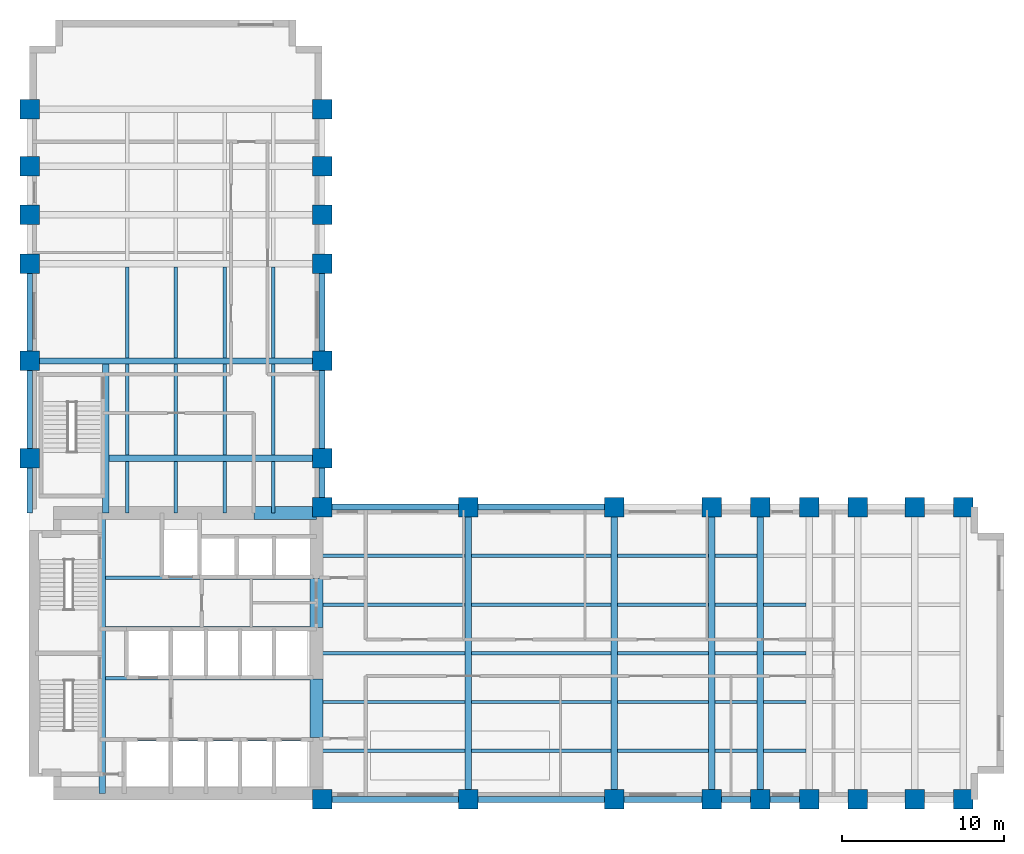
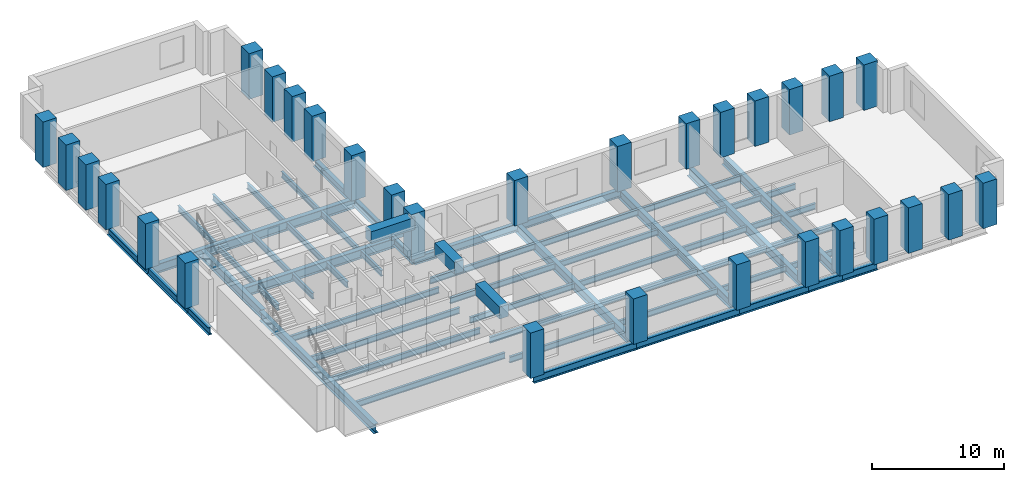
# One storey, part 1 of 7: 64 beams, 30 columns.
"""IFC4 building model written with IfcOpenShell, lengths in metres."""

from ifc_helpers import new_model, si_unit, direction, frame, origin, origin_2d, place, context, subcontext, project, spatial, rectangle, i_section, extrude, material, material_profile, profile_set, type_object, element, save


model = new_model("IFC4")

# Units and contexts
model_context = context("Model", 3, precision=1e-05, world=origin(), true_north=direction((0.0, 1.0)))
body_context = subcontext(model_context, "Body", "Model", "MODEL_VIEW")
ifc_project = project(units=[si_unit("LENGTHUNIT", "METRE"), si_unit("AREAUNIT", "SQUARE_METRE"), si_unit("VOLUMEUNIT", "CUBIC_METRE"), si_unit("PLANEANGLEUNIT", "RADIAN"), si_unit("MASSUNIT", "GRAM", prefix="KILO")], contexts=[model_context])

# Site, building, storey
site_placement = place(None, origin())
site = spatial("IfcSite", under=ifc_project, at=site_placement, CompositionType="ELEMENT")
building_placement = place(site_placement, origin())
building = spatial("IfcBuilding", under=site, at=building_placement, Name="Mawjdan Bourse Tower", CompositionType="ELEMENT")
storey_placement = place(building_placement, frame((0.0, 0.0, 55.199951171875)))
storey = spatial("IfcBuildingStorey", under=building, at=storey_placement, Name="L12", CompositionType="ELEMENT", Elevation=55.199951171875)

# Columns
ifc_material_1 = material(Name="Concrete C80/95", Category="concrete")
ifc_material_profile_1 = material_profile(ifc_material_1, rectangle(XDim=1.199951171875, YDim=1.199951171875, at=origin_2d()), Name="RC1200X1200")
ifc_profile_set_1 = profile_set([ifc_material_profile_1], Name="Concrete C80/95")
column_type = type_object("IfcColumnType", Name="COL-RC1200X1200", PredefinedType="COLUMN", material=ifc_profile_set_1)
for number, where, z_axis, x_axis, name in (
    (1, (24.0, 3.0, 0.0), (0.0, 0.0, 1.0), (1.0, 0.0, 0.0), "L12 Structural Column C-X240-Y30"),
    (2, (24.0, 21.0, 0.0), (0.0, 0.0, 1.0), (1.0, 0.0, 0.0), "L12 Structural Column C-X240-Y210"),
    (3, (33.0, 3.0, 0.0), (0.0, 0.0, 1.0), (1.0, 0.0, 0.0), "L12 Structural Column C-X330-Y30"),
    (4, (33.0, 21.0, 0.0), (0.0, 0.0, 1.0), (1.0, 0.0, 0.0), "L12 Structural Column C-X330-Y210"),
    (5, (42.0, 3.0, 0.0), (0.0, 0.0, 1.0), (1.0, 0.0, 0.0), "L12 Structural Column C-X420-Y30"),
    (6, (42.0, 21.0, 0.0), (0.0, 0.0, 1.0), (1.0, 0.0, 0.0), "L12 Structural Column C-X420-Y210"),
    (7, (48.0, 3.0, 0.0), (0.0, 0.0, 1.0), (1.0, 0.0, 0.0), "L12 Structural Column C-X480-Y30"),
    (8, (48.0, 21.0, 0.0), (0.0, 0.0, 1.0), (1.0, 0.0, 0.0), "L12 Structural Column C-X480-Y210"),
    (9, (51.0, 3.0, 0.0), (0.0, 0.0, 1.0), (1.0, 0.0, 0.0), "L12 Structural Column C-X510-Y30"),
    (10, (51.0, 21.0, 0.0), (0.0, 0.0, 1.0), (1.0, 0.0, 0.0), "L12 Structural Column C-X510-Y210"),
    (11, (54.0, 3.0, 0.0), (0.0, 0.0, 1.0), (1.0, 0.0, 0.0), "L12 Structural Column C-X540-Y30"),
    (12, (54.0, 21.0, 0.0), (0.0, 0.0, 1.0), (1.0, 0.0, 0.0), "L12 Structural Column C-X540-Y210"),
    (13, (57.0, 3.0, 0.0), (0.0, 0.0, 1.0), (1.0, 0.0, 0.0), "L12 Structural Column C-X570-Y30"),
    (14, (57.0, 21.0, 0.0), (0.0, 0.0, 1.0), (1.0, 0.0, 0.0), "L12 Structural Column C-X570-Y210"),
    (15, (60.5, 3.0, 0.0), (0.0, 0.0, 1.0), (1.0, 0.0, 0.0), "L12 Structural Column C-X605-Y30"),
    (16, (60.5, 21.0, 0.0), (0.0, 0.0, 1.0), (1.0, 0.0, 0.0), "L12 Structural Column C-X605-Y210"),
    (17, (63.5, 3.0, 0.0), (0.0, 0.0, 1.0), (1.0, 0.0, 0.0), "L12 Structural Column C-X635-Y30"),
    (18, (63.5, 21.0, 0.0), (0.0, 0.0, 1.0), (1.0, 0.0, 0.0), "L12 Structural Column C-X635-Y210"),
    (19, (6.0, 24.0, 0.0), (0.0, 0.0, 1.0), (1.0, 0.0, 0.0), "L12 Structural Column C-X60-Y240"),
    (20, (24.0, 24.0, 0.0), (0.0, 0.0, 1.0), (1.0, 0.0, 0.0), "L12 Structural Column C-X240-Y240"),
    (21, (6.0, 30.0, 0.0), (0.0, 0.0, 1.0), (1.0, 0.0, 0.0), "L12 Structural Column C-X60-Y300"),
    (22, (24.0, 30.0, 0.0), (0.0, 0.0, 1.0), (1.0, 0.0, 0.0), "L12 Structural Column C-X240-Y300"),
    (23, (6.0, 36.0, 0.0), (0.0, 0.0, 1.0), (1.0, 0.0, 0.0), "L12 Structural Column C-X60-Y360"),
    (24, (24.0, 36.0, 0.0), (0.0, 0.0, 1.0), (1.0, 0.0, 0.0), "L12 Structural Column C-X240-Y360"),
    (25, (6.0, 39.0, 0.0), (0.0, 0.0, 1.0), (1.0, 0.0, 0.0), "L12 Structural Column C-X60-Y390"),
    (26, (24.0, 39.0, 0.0), (0.0, 0.0, 1.0), (1.0, 0.0, 0.0), "L12 Structural Column C-X240-Y390"),
    (27, (6.0, 42.0, 0.0), (0.0, 0.0, 1.0), (1.0, 0.0, 0.0), "L12 Structural Column C-X60-Y420"),
    (28, (24.0, 42.0, 0.0), (0.0, 0.0, 1.0), (1.0, 0.0, 0.0), "L12 Structural Column C-X240-Y420"),
    (29, (6.0, 45.5, 0.0), (0.0, 0.0, 1.0), (1.0, 0.0, 0.0), "L12 Structural Column C-X60-Y455"),
    (30, (24.0, 45.5, 0.0), (0.0, 0.0, 1.0), (1.0, 0.0, 0.0), "L12 Structural Column C-X240-Y455"),
):
    element("IfcColumn", number, at=place(storey_placement, frame(where, z_axis=z_axis, x_axis=x_axis)), inside=storey, type_object=column_type, Name=name, PredefinedType="COLUMN", context=body_context, shape_type="SweptSolid", body=[
        extrude(rectangle(XDim=1.199951171875, YDim=1.199951171875, at=origin_2d()), origin(), (0.0, 0.0, 1.0), 4.199951171875),
    ])

# Beams
ifc_material_2 = material(Name="Structural Steel S355", Category="steel")
ifc_material_profile_2 = material_profile(ifc_material_2, i_section(OverallWidth=0.39892578125, OverallDepth=0.85595703125, WebThickness=0.018310546875, FlangeThickness=0.029296875, FilletRadius=0.0234375, at=origin_2d()), Name="W33X201")
ifc_profile_set_2 = profile_set([ifc_material_profile_2], Name="Structural Steel S355")
beam_type_1 = type_object("IfcBeamType", Name="GRD-W33X201", PredefinedType="BEAM", material=ifc_profile_set_2)
beam_1_placement = place(storey_placement, frame((10.47998046875, 3.35009765625, -0.64794921875), z_axis=(0.0, 1.0, 0.0), x_axis=(-1.0, 0.0, 0.0)))
element("IfcBeam", 31, at=beam_1_placement, inside=storey, type_object=beam_type_1, Name="L12 Core Stair Trimmer Girder 001", PredefinedType="BEAM", context=body_context, shape_type="SweptSolid", body=[
    extrude(i_section(OverallWidth=0.39892578125, OverallDepth=0.85595703125, WebThickness=0.018310546875, FlangeThickness=0.029296875, FilletRadius=0.0234375, at=origin_2d()), origin(), (0.0, 0.0, 1.0), 17.2998046875),
])
for number, where, z_axis, x_axis, name in (
    (32, (33.0, 3.0, -0.64794921875), (0.0, 1.0, 0.0), (-1.0, 0.0, 0.0), "L12 East Wing Clear-Span Girder 002"),
    (33, (42.0, 3.0, -0.64794921875), (0.0, 1.0, 0.0), (-1.0, 0.0, 0.0), "L12 East Wing Clear-Span Girder 003"),
    (34, (48.0, 3.0, -0.64794921875), (0.0, 1.0, 0.0), (-1.0, 0.0, 0.0), "L12 East Wing Clear-Span Girder 004"),
    (35, (51.0, 3.0, -0.64794921875), (0.0, 1.0, 0.0), (-1.0, 0.0, 0.0), "L12 East Wing Clear-Span Girder 005"),
):
    element("IfcBeam", number, at=place(storey_placement, frame(where, z_axis=z_axis, x_axis=x_axis)), inside=storey, type_object=beam_type_1, Name=name, PredefinedType="BEAM", context=body_context, shape_type="SweptSolid", body=[
        extrude(i_section(OverallWidth=0.39892578125, OverallDepth=0.85595703125, WebThickness=0.018310546875, FlangeThickness=0.029296875, FilletRadius=0.0234375, at=origin_2d()), origin(), (0.0, 0.0, 1.0), 18.0),
    ])
beam_2_placement = place(storey_placement, frame((10.679931640625, 20.64990234375, -0.64794921875), z_axis=(0.0, 1.0, 0.0), x_axis=(-1.0, 0.0, 0.0)))
element("IfcBeam", 36, at=beam_2_placement, inside=storey, type_object=beam_type_1, Name="L12 North Wing Stair Trimmer Girder 070", PredefinedType="BEAM", context=body_context, shape_type="SweptSolid", body=[
    extrude(i_section(OverallWidth=0.39892578125, OverallDepth=0.85595703125, WebThickness=0.018310546875, FlangeThickness=0.029296875, FilletRadius=0.0234375, at=origin_2d()), origin(), (0.0, 0.0, 1.0), 9.152587890625),
])
beam_3_placement = place(storey_placement, frame((10.87744140625, 24.0, -0.64794921875), z_axis=(1.0, 0.0, 0.0), x_axis=(0.0, 1.0, 0.0)))
element("IfcBeam", 37, at=beam_3_placement, inside=storey, type_object=beam_type_1, Name="L12 North Wing Clear-Span Girder 071", PredefinedType="BEAM", context=body_context, shape_type="SweptSolid", body=[
    extrude(i_section(OverallWidth=0.39892578125, OverallDepth=0.85595703125, WebThickness=0.018310546875, FlangeThickness=0.029296875, FilletRadius=0.0234375, at=origin_2d()), origin(), (0.0, 0.0, 1.0), 13.12255859375),
])
beam_4_placement = place(storey_placement, frame((6.0, 30.0, -0.64794921875), z_axis=(1.0, 0.0, 0.0), x_axis=(0.0, 1.0, 0.0)))
element("IfcBeam", 38, at=beam_4_placement, inside=storey, type_object=beam_type_1, Name="L12 North Wing Clear-Span Girder 072", PredefinedType="BEAM", context=body_context, shape_type="SweptSolid", body=[
    extrude(i_section(OverallWidth=0.39892578125, OverallDepth=0.85595703125, WebThickness=0.018310546875, FlangeThickness=0.029296875, FilletRadius=0.0234375, at=origin_2d()), origin(), (0.0, 0.0, 1.0), 18.0),
])
ifc_material_profile_3 = material_profile(ifc_material_2, i_section(OverallWidth=0.2119140625, OverallDepth=0.5439453125, WebThickness=0.01318359375, FlangeThickness=0.021240234375, FilletRadius=0.01708984375, at=origin_2d()), Name="W21X83")
ifc_profile_set_3 = profile_set([ifc_material_profile_3], Name="Structural Steel S355")
beam_type_2 = type_object("IfcBeamType", Name="JST-W21X83", PredefinedType="JOIST", material=ifc_profile_set_3)
beam_5_placement = place(storey_placement, frame((23.64990234375, 6.0, -0.491943359375), z_axis=(1.0, 0.0, 0.0), x_axis=(0.0, 1.0, 0.0)))
element("IfcBeam", 39, at=beam_5_placement, inside=storey, type_object=beam_type_2, Name="L12 East Wing Composite Joist 026", PredefinedType="JOIST", context=body_context, shape_type="SweptSolid", body=[
    extrude(i_section(OverallWidth=0.2119140625, OverallDepth=0.5439453125, WebThickness=0.01318359375, FlangeThickness=0.021240234375, FilletRadius=0.01708984375, at=origin_2d()), origin(), (0.0, 0.0, 1.0), 9.152587890625),
])
beam_6_placement = place(storey_placement, frame((33.197509765625, 6.0, -0.491943359375), z_axis=(1.0, 0.0, 0.0), x_axis=(0.0, 1.0, 0.0)))
element("IfcBeam", 40, at=beam_6_placement, inside=storey, type_object=beam_type_2, Name="L12 East Wing Composite Joist 027", PredefinedType="JOIST", context=body_context, shape_type="SweptSolid", body=[
    extrude(i_section(OverallWidth=0.2119140625, OverallDepth=0.5439453125, WebThickness=0.01318359375, FlangeThickness=0.021240234375, FilletRadius=0.01708984375, at=origin_2d()), origin(), (0.0, 0.0, 1.0), 8.60498046875),
])
beam_7_placement = place(storey_placement, frame((42.197509765625, 6.0, -0.491943359375), z_axis=(1.0, 0.0, 0.0), x_axis=(0.0, 1.0, 0.0)))
element("IfcBeam", 41, at=beam_7_placement, inside=storey, type_object=beam_type_2, Name="L12 East Wing Composite Joist 028", PredefinedType="JOIST", context=body_context, shape_type="SweptSolid", body=[
    extrude(i_section(OverallWidth=0.2119140625, OverallDepth=0.5439453125, WebThickness=0.01318359375, FlangeThickness=0.021240234375, FilletRadius=0.01708984375, at=origin_2d()), origin(), (0.0, 0.0, 1.0), 5.60498046875),
])
for number, where, z_axis, x_axis, name in (
    (42, (48.197509765625, 6.0, -0.491943359375), (1.0, 0.0, 0.0), (0.0, 1.0, 0.0), "L12 East Wing Composite Joist 029"),
    (43, (51.197509765625, 6.0, -0.491943359375), (1.0, 0.0, 0.0), (0.0, 1.0, 0.0), "L12 East Wing Composite Joist 030"),
):
    element("IfcBeam", number, at=place(storey_placement, frame(where, z_axis=z_axis, x_axis=x_axis)), inside=storey, type_object=beam_type_2, Name=name, PredefinedType="JOIST", context=body_context, shape_type="SweptSolid", body=[
        extrude(i_section(OverallWidth=0.2119140625, OverallDepth=0.5439453125, WebThickness=0.01318359375, FlangeThickness=0.021240234375, FilletRadius=0.01708984375, at=origin_2d()), origin(), (0.0, 0.0, 1.0), 2.60498046875),
    ])
beam_8_placement = place(storey_placement, frame((23.64990234375, 9.0, -0.491943359375), z_axis=(1.0, 0.0, 0.0), x_axis=(0.0, 1.0, 0.0)))
element("IfcBeam", 44, at=beam_8_placement, inside=storey, type_object=beam_type_2, Name="L12 East Wing Composite Joist 034", PredefinedType="JOIST", context=body_context, shape_type="SweptSolid", body=[
    extrude(i_section(OverallWidth=0.2119140625, OverallDepth=0.5439453125, WebThickness=0.01318359375, FlangeThickness=0.021240234375, FilletRadius=0.01708984375, at=origin_2d()), origin(), (0.0, 0.0, 1.0), 9.152587890625),
])
beam_9_placement = place(storey_placement, frame((33.197509765625, 9.0, -0.491943359375), z_axis=(1.0, 0.0, 0.0), x_axis=(0.0, 1.0, 0.0)))
element("IfcBeam", 45, at=beam_9_placement, inside=storey, type_object=beam_type_2, Name="L12 East Wing Composite Joist 035", PredefinedType="JOIST", context=body_context, shape_type="SweptSolid", body=[
    extrude(i_section(OverallWidth=0.2119140625, OverallDepth=0.5439453125, WebThickness=0.01318359375, FlangeThickness=0.021240234375, FilletRadius=0.01708984375, at=origin_2d()), origin(), (0.0, 0.0, 1.0), 8.60498046875),
])
beam_10_placement = place(storey_placement, frame((42.197509765625, 9.0, -0.491943359375), z_axis=(1.0, 0.0, 0.0), x_axis=(0.0, 1.0, 0.0)))
element("IfcBeam", 46, at=beam_10_placement, inside=storey, type_object=beam_type_2, Name="L12 East Wing Composite Joist 036", PredefinedType="JOIST", context=body_context, shape_type="SweptSolid", body=[
    extrude(i_section(OverallWidth=0.2119140625, OverallDepth=0.5439453125, WebThickness=0.01318359375, FlangeThickness=0.021240234375, FilletRadius=0.01708984375, at=origin_2d()), origin(), (0.0, 0.0, 1.0), 5.60498046875),
])
for number, where, z_axis, x_axis, name in (
    (47, (48.197509765625, 9.0, -0.491943359375), (1.0, 0.0, 0.0), (0.0, 1.0, 0.0), "L12 East Wing Composite Joist 037"),
    (48, (51.197509765625, 9.0, -0.491943359375), (1.0, 0.0, 0.0), (0.0, 1.0, 0.0), "L12 East Wing Composite Joist 038"),
):
    element("IfcBeam", number, at=place(storey_placement, frame(where, z_axis=z_axis, x_axis=x_axis)), inside=storey, type_object=beam_type_2, Name=name, PredefinedType="JOIST", context=body_context, shape_type="SweptSolid", body=[
        extrude(i_section(OverallWidth=0.2119140625, OverallDepth=0.5439453125, WebThickness=0.01318359375, FlangeThickness=0.021240234375, FilletRadius=0.01708984375, at=origin_2d()), origin(), (0.0, 0.0, 1.0), 2.60498046875),
    ])
beam_11_placement = place(storey_placement, frame((23.64990234375, 12.0, -0.491943359375), z_axis=(1.0, 0.0, 0.0), x_axis=(0.0, 1.0, 0.0)))
element("IfcBeam", 49, at=beam_11_placement, inside=storey, type_object=beam_type_2, Name="L12 East Wing Composite Joist 042", PredefinedType="JOIST", context=body_context, shape_type="SweptSolid", body=[
    extrude(i_section(OverallWidth=0.2119140625, OverallDepth=0.5439453125, WebThickness=0.01318359375, FlangeThickness=0.021240234375, FilletRadius=0.01708984375, at=origin_2d()), origin(), (0.0, 0.0, 1.0), 9.152587890625),
])
beam_12_placement = place(storey_placement, frame((33.197509765625, 12.0, -0.491943359375), z_axis=(1.0, 0.0, 0.0), x_axis=(0.0, 1.0, 0.0)))
element("IfcBeam", 50, at=beam_12_placement, inside=storey, type_object=beam_type_2, Name="L12 East Wing Composite Joist 043", PredefinedType="JOIST", context=body_context, shape_type="SweptSolid", body=[
    extrude(i_section(OverallWidth=0.2119140625, OverallDepth=0.5439453125, WebThickness=0.01318359375, FlangeThickness=0.021240234375, FilletRadius=0.01708984375, at=origin_2d()), origin(), (0.0, 0.0, 1.0), 8.60498046875),
])
beam_13_placement = place(storey_placement, frame((42.197509765625, 12.0, -0.491943359375), z_axis=(1.0, 0.0, 0.0), x_axis=(0.0, 1.0, 0.0)))
element("IfcBeam", 51, at=beam_13_placement, inside=storey, type_object=beam_type_2, Name="L12 East Wing Composite Joist 044", PredefinedType="JOIST", context=body_context, shape_type="SweptSolid", body=[
    extrude(i_section(OverallWidth=0.2119140625, OverallDepth=0.5439453125, WebThickness=0.01318359375, FlangeThickness=0.021240234375, FilletRadius=0.01708984375, at=origin_2d()), origin(), (0.0, 0.0, 1.0), 5.60498046875),
])
for number, where, z_axis, x_axis, name in (
    (52, (48.197509765625, 12.0, -0.491943359375), (1.0, 0.0, 0.0), (0.0, 1.0, 0.0), "L12 East Wing Composite Joist 045"),
    (53, (51.197509765625, 12.0, -0.491943359375), (1.0, 0.0, 0.0), (0.0, 1.0, 0.0), "L12 East Wing Composite Joist 046"),
):
    element("IfcBeam", number, at=place(storey_placement, frame(where, z_axis=z_axis, x_axis=x_axis)), inside=storey, type_object=beam_type_2, Name=name, PredefinedType="JOIST", context=body_context, shape_type="SweptSolid", body=[
        extrude(i_section(OverallWidth=0.2119140625, OverallDepth=0.5439453125, WebThickness=0.01318359375, FlangeThickness=0.021240234375, FilletRadius=0.01708984375, at=origin_2d()), origin(), (0.0, 0.0, 1.0), 2.60498046875),
    ])
beam_14_placement = place(storey_placement, frame((23.64990234375, 15.0, -0.491943359375), z_axis=(1.0, 0.0, 0.0), x_axis=(0.0, 1.0, 0.0)))
element("IfcBeam", 54, at=beam_14_placement, inside=storey, type_object=beam_type_2, Name="L12 East Wing Composite Joist 050", PredefinedType="JOIST", context=body_context, shape_type="SweptSolid", body=[
    extrude(i_section(OverallWidth=0.2119140625, OverallDepth=0.5439453125, WebThickness=0.01318359375, FlangeThickness=0.021240234375, FilletRadius=0.01708984375, at=origin_2d()), origin(), (0.0, 0.0, 1.0), 9.152587890625),
])
beam_15_placement = place(storey_placement, frame((33.197509765625, 15.0, -0.491943359375), z_axis=(1.0, 0.0, 0.0), x_axis=(0.0, 1.0, 0.0)))
element("IfcBeam", 55, at=beam_15_placement, inside=storey, type_object=beam_type_2, Name="L12 East Wing Composite Joist 051", PredefinedType="JOIST", context=body_context, shape_type="SweptSolid", body=[
    extrude(i_section(OverallWidth=0.2119140625, OverallDepth=0.5439453125, WebThickness=0.01318359375, FlangeThickness=0.021240234375, FilletRadius=0.01708984375, at=origin_2d()), origin(), (0.0, 0.0, 1.0), 8.60498046875),
])
beam_16_placement = place(storey_placement, frame((42.197509765625, 15.0, -0.491943359375), z_axis=(1.0, 0.0, 0.0), x_axis=(0.0, 1.0, 0.0)))
element("IfcBeam", 56, at=beam_16_placement, inside=storey, type_object=beam_type_2, Name="L12 East Wing Composite Joist 052", PredefinedType="JOIST", context=body_context, shape_type="SweptSolid", body=[
    extrude(i_section(OverallWidth=0.2119140625, OverallDepth=0.5439453125, WebThickness=0.01318359375, FlangeThickness=0.021240234375, FilletRadius=0.01708984375, at=origin_2d()), origin(), (0.0, 0.0, 1.0), 5.60498046875),
])
for number, where, z_axis, x_axis, name in (
    (57, (48.197509765625, 15.0, -0.491943359375), (1.0, 0.0, 0.0), (0.0, 1.0, 0.0), "L12 East Wing Composite Joist 053"),
    (58, (51.197509765625, 15.0, -0.491943359375), (1.0, 0.0, 0.0), (0.0, 1.0, 0.0), "L12 East Wing Composite Joist 054"),
):
    element("IfcBeam", number, at=place(storey_placement, frame(where, z_axis=z_axis, x_axis=x_axis)), inside=storey, type_object=beam_type_2, Name=name, PredefinedType="JOIST", context=body_context, shape_type="SweptSolid", body=[
        extrude(i_section(OverallWidth=0.2119140625, OverallDepth=0.5439453125, WebThickness=0.01318359375, FlangeThickness=0.021240234375, FilletRadius=0.01708984375, at=origin_2d()), origin(), (0.0, 0.0, 1.0), 2.60498046875),
    ])
beam_17_placement = place(storey_placement, frame((23.64990234375, 18.0, -0.491943359375), z_axis=(1.0, 0.0, 0.0), x_axis=(0.0, 1.0, 0.0)))
element("IfcBeam", 59, at=beam_17_placement, inside=storey, type_object=beam_type_2, Name="L12 East Wing Composite Joist 058", PredefinedType="JOIST", context=body_context, shape_type="SweptSolid", body=[
    extrude(i_section(OverallWidth=0.2119140625, OverallDepth=0.5439453125, WebThickness=0.01318359375, FlangeThickness=0.021240234375, FilletRadius=0.01708984375, at=origin_2d()), origin(), (0.0, 0.0, 1.0), 9.152587890625),
])
beam_18_placement = place(storey_placement, frame((33.197509765625, 18.0, -0.491943359375), z_axis=(1.0, 0.0, 0.0), x_axis=(0.0, 1.0, 0.0)))
element("IfcBeam", 60, at=beam_18_placement, inside=storey, type_object=beam_type_2, Name="L12 East Wing Composite Joist 059", PredefinedType="JOIST", context=body_context, shape_type="SweptSolid", body=[
    extrude(i_section(OverallWidth=0.2119140625, OverallDepth=0.5439453125, WebThickness=0.01318359375, FlangeThickness=0.021240234375, FilletRadius=0.01708984375, at=origin_2d()), origin(), (0.0, 0.0, 1.0), 8.60498046875),
])
beam_19_placement = place(storey_placement, frame((42.197509765625, 18.0, -0.491943359375), z_axis=(1.0, 0.0, 0.0), x_axis=(0.0, 1.0, 0.0)))
element("IfcBeam", 61, at=beam_19_placement, inside=storey, type_object=beam_type_2, Name="L12 East Wing Composite Joist 060", PredefinedType="JOIST", context=body_context, shape_type="SweptSolid", body=[
    extrude(i_section(OverallWidth=0.2119140625, OverallDepth=0.5439453125, WebThickness=0.01318359375, FlangeThickness=0.021240234375, FilletRadius=0.01708984375, at=origin_2d()), origin(), (0.0, 0.0, 1.0), 5.60498046875),
])
beam_20_placement = place(storey_placement, frame((48.197509765625, 18.0, -0.491943359375), z_axis=(1.0, 0.0, 0.0), x_axis=(0.0, 1.0, 0.0)))
element("IfcBeam", 62, at=beam_20_placement, inside=storey, type_object=beam_type_2, Name="L12 East Wing Composite Joist 061", PredefinedType="JOIST", context=body_context, shape_type="SweptSolid", body=[
    extrude(i_section(OverallWidth=0.2119140625, OverallDepth=0.5439453125, WebThickness=0.01318359375, FlangeThickness=0.021240234375, FilletRadius=0.01708984375, at=origin_2d()), origin(), (0.0, 0.0, 1.0), 2.60498046875),
])
for number, where, z_axis, x_axis, name in (
    (63, (10.677490234375, 6.699951171875, -0.491943359375), (1.0, 0.0, 0.0), (0.0, 1.0, 0.0), "L12 Core Floor Joist 066"),
    (64, (10.677490234375, 10.449951171875, -0.491943359375), (1.0, 0.0, 0.0), (0.0, 1.0, 0.0), "L12 Core Floor Joist 067"),
    (65, (10.677490234375, 13.550048828125, -0.491943359375), (1.0, 0.0, 0.0), (0.0, 1.0, 0.0), "L12 Core Floor Joist 068"),
    (66, (10.677490234375, 16.64990234375, -0.491943359375), (1.0, 0.0, 0.0), (0.0, 1.0, 0.0), "L12 Core Floor Joist 069"),
):
    element("IfcBeam", number, at=place(storey_placement, frame(where, z_axis=z_axis, x_axis=x_axis)), inside=storey, type_object=beam_type_2, Name=name, PredefinedType="JOIST", context=body_context, shape_type="SweptSolid", body=[
        extrude(i_section(OverallWidth=0.2119140625, OverallDepth=0.5439453125, WebThickness=0.01318359375, FlangeThickness=0.021240234375, FilletRadius=0.01708984375, at=origin_2d()), origin(), (0.0, 0.0, 1.0), 12.972412109375),
    ])
beam_21_placement = place(storey_placement, frame((12.0, 20.64990234375, -0.491943359375), z_axis=(0.0, 1.0, 0.0), x_axis=(-1.0, 0.0, 0.0)))
element("IfcBeam", 67, at=beam_21_placement, inside=storey, type_object=beam_type_2, Name="L12 North Wing Composite Joist 089", PredefinedType="JOIST", context=body_context, shape_type="SweptSolid", body=[
    extrude(i_section(OverallWidth=0.2119140625, OverallDepth=0.5439453125, WebThickness=0.01318359375, FlangeThickness=0.021240234375, FilletRadius=0.01708984375, at=origin_2d()), origin(), (0.0, 0.0, 1.0), 3.152587890625),
])
for number, where, z_axis, x_axis, name in (
    (68, (12.0, 24.197509765625, -0.491943359375), (0.0, 1.0, 0.0), (-1.0, 0.0, 0.0), "L12 North Wing Composite Joist 090"),
    (69, (12.0, 30.197509765625, -0.491943359375), (0.0, 1.0, 0.0), (-1.0, 0.0, 0.0), "L12 North Wing Composite Joist 091"),
):
    element("IfcBeam", number, at=place(storey_placement, frame(where, z_axis=z_axis, x_axis=x_axis)), inside=storey, type_object=beam_type_2, Name=name, PredefinedType="JOIST", context=body_context, shape_type="SweptSolid", body=[
        extrude(i_section(OverallWidth=0.2119140625, OverallDepth=0.5439453125, WebThickness=0.01318359375, FlangeThickness=0.021240234375, FilletRadius=0.01708984375, at=origin_2d()), origin(), (0.0, 0.0, 1.0), 5.60498046875),
    ])
beam_22_placement = place(storey_placement, frame((15.0, 20.64990234375, -0.491943359375), z_axis=(0.0, 1.0, 0.0), x_axis=(-1.0, 0.0, 0.0)))
element("IfcBeam", 70, at=beam_22_placement, inside=storey, type_object=beam_type_2, Name="L12 North Wing Composite Joist 095", PredefinedType="JOIST", context=body_context, shape_type="SweptSolid", body=[
    extrude(i_section(OverallWidth=0.2119140625, OverallDepth=0.5439453125, WebThickness=0.01318359375, FlangeThickness=0.021240234375, FilletRadius=0.01708984375, at=origin_2d()), origin(), (0.0, 0.0, 1.0), 3.152587890625),
])
for number, where, z_axis, x_axis, name in (
    (71, (15.0, 24.197509765625, -0.491943359375), (0.0, 1.0, 0.0), (-1.0, 0.0, 0.0), "L12 North Wing Composite Joist 096"),
    (72, (15.0, 30.197509765625, -0.491943359375), (0.0, 1.0, 0.0), (-1.0, 0.0, 0.0), "L12 North Wing Composite Joist 097"),
):
    element("IfcBeam", number, at=place(storey_placement, frame(where, z_axis=z_axis, x_axis=x_axis)), inside=storey, type_object=beam_type_2, Name=name, PredefinedType="JOIST", context=body_context, shape_type="SweptSolid", body=[
        extrude(i_section(OverallWidth=0.2119140625, OverallDepth=0.5439453125, WebThickness=0.01318359375, FlangeThickness=0.021240234375, FilletRadius=0.01708984375, at=origin_2d()), origin(), (0.0, 0.0, 1.0), 5.60498046875),
    ])
beam_23_placement = place(storey_placement, frame((18.0, 20.64990234375, -0.491943359375), z_axis=(0.0, 1.0, 0.0), x_axis=(-1.0, 0.0, 0.0)))
element("IfcBeam", 73, at=beam_23_placement, inside=storey, type_object=beam_type_2, Name="L12 North Wing Composite Joist 101", PredefinedType="JOIST", context=body_context, shape_type="SweptSolid", body=[
    extrude(i_section(OverallWidth=0.2119140625, OverallDepth=0.5439453125, WebThickness=0.01318359375, FlangeThickness=0.021240234375, FilletRadius=0.01708984375, at=origin_2d()), origin(), (0.0, 0.0, 1.0), 3.152587890625),
])
for number, where, z_axis, x_axis, name in (
    (74, (18.0, 24.197509765625, -0.491943359375), (0.0, 1.0, 0.0), (-1.0, 0.0, 0.0), "L12 North Wing Composite Joist 102"),
    (75, (18.0, 30.197509765625, -0.491943359375), (0.0, 1.0, 0.0), (-1.0, 0.0, 0.0), "L12 North Wing Composite Joist 103"),
):
    element("IfcBeam", number, at=place(storey_placement, frame(where, z_axis=z_axis, x_axis=x_axis)), inside=storey, type_object=beam_type_2, Name=name, PredefinedType="JOIST", context=body_context, shape_type="SweptSolid", body=[
        extrude(i_section(OverallWidth=0.2119140625, OverallDepth=0.5439453125, WebThickness=0.01318359375, FlangeThickness=0.021240234375, FilletRadius=0.01708984375, at=origin_2d()), origin(), (0.0, 0.0, 1.0), 5.60498046875),
    ])
beam_24_placement = place(storey_placement, frame((21.0, 20.64990234375, -0.491943359375), z_axis=(0.0, 1.0, 0.0), x_axis=(-1.0, 0.0, 0.0)))
element("IfcBeam", 76, at=beam_24_placement, inside=storey, type_object=beam_type_2, Name="L12 North Wing Composite Joist 107", PredefinedType="JOIST", context=body_context, shape_type="SweptSolid", body=[
    extrude(i_section(OverallWidth=0.2119140625, OverallDepth=0.5439453125, WebThickness=0.01318359375, FlangeThickness=0.021240234375, FilletRadius=0.01708984375, at=origin_2d()), origin(), (0.0, 0.0, 1.0), 3.152587890625),
])
for number, where, z_axis, x_axis, name in (
    (77, (21.0, 24.197509765625, -0.491943359375), (0.0, 1.0, 0.0), (-1.0, 0.0, 0.0), "L12 North Wing Composite Joist 108"),
    (78, (21.0, 30.197509765625, -0.491943359375), (0.0, 1.0, 0.0), (-1.0, 0.0, 0.0), "L12 North Wing Composite Joist 109"),
):
    element("IfcBeam", number, at=place(storey_placement, frame(where, z_axis=z_axis, x_axis=x_axis)), inside=storey, type_object=beam_type_2, Name=name, PredefinedType="JOIST", context=body_context, shape_type="SweptSolid", body=[
        extrude(i_section(OverallWidth=0.2119140625, OverallDepth=0.5439453125, WebThickness=0.01318359375, FlangeThickness=0.021240234375, FilletRadius=0.01708984375, at=origin_2d()), origin(), (0.0, 0.0, 1.0), 5.60498046875),
    ])
ifc_material_3 = material(Name="Concrete C70/85", Category="concrete")
ifc_material_profile_4 = material_profile(ifc_material_3, rectangle(XDim=0.800048828125, YDim=1.10009765625, at=origin_2d()), Name="RCB800X1100")
ifc_profile_set_4 = profile_set([ifc_material_profile_4], Name="Concrete C70/85")
beam_type_3 = type_object("IfcBeamType", Name="LNT-RCB800X1100", PredefinedType="LINTEL", material=ifc_profile_set_4)
beam_25_placement = place(storey_placement, frame((23.64990234375, 6.800048828125, 3.429931640625), z_axis=(0.0, 1.0, 0.0), x_axis=(-1.0, 0.0, 0.0)))
element("IfcBeam", 79, at=beam_25_placement, inside=storey, type_object=beam_type_3, Name="L12 Coupled Core Lintel CB-E1", PredefinedType="LINTEL", context=body_context, shape_type="SweptSolid", body=[
    extrude(rectangle(XDim=0.800048828125, YDim=1.10009765625, at=origin_2d()), origin(), (0.0, 0.0, 1.0), 3.599853515625),
])
beam_26_placement = place(storey_placement, frame((23.64990234375, 13.60009765625, 3.429931640625), z_axis=(0.0, 1.0, 0.0), x_axis=(-1.0, 0.0, 0.0)))
element("IfcBeam", 80, at=beam_26_placement, inside=storey, type_object=beam_type_3, Name="L12 Coupled Core Lintel CB-E2", PredefinedType="LINTEL", context=body_context, shape_type="SweptSolid", body=[
    extrude(rectangle(XDim=0.800048828125, YDim=1.10009765625, at=origin_2d()), origin(), (0.0, 0.0, 1.0), 3.0),
])
beam_27_placement = place(storey_placement, frame((19.800048828125, 20.64990234375, 3.429931640625), z_axis=(1.0, 0.0, 0.0), x_axis=(0.0, 1.0, 0.0)))
element("IfcBeam", 81, at=beam_27_placement, inside=storey, type_object=beam_type_3, Name="L12 Coupled Core Lintel CB-N1", PredefinedType="LINTEL", context=body_context, shape_type="SweptSolid", body=[
    extrude(rectangle(XDim=0.800048828125, YDim=1.10009765625, at=origin_2d()), origin(), (0.0, 0.0, 1.0), 3.849853515625),
])
ifc_material_profile_5 = material_profile(ifc_material_2, i_section(OverallWidth=0.35498046875, OverallDepth=0.696044921875, WebThickness=0.015380859375, FlangeThickness=0.02490234375, FilletRadius=0.019775390625, at=origin_2d()), Name="W27X146")
ifc_profile_set_5 = profile_set([ifc_material_profile_5], Name="Structural Steel S355")
beam_type_4 = type_object("IfcBeamType", Name="SPN-W27X146", PredefinedType="SPANDREL", material=ifc_profile_set_5)
for number, where, z_axis, x_axis, name in (
    (82, (24.0, 3.0, -0.56787109375), (1.0, 0.0, 0.0), (0.0, 1.0, 0.0), "L12 Perimeter Masonry-Shelf Spandrel 010"),
    (83, (33.0, 3.0, -0.56787109375), (1.0, 0.0, 0.0), (0.0, 1.0, 0.0), "L12 Perimeter Masonry-Shelf Spandrel 011"),
):
    element("IfcBeam", number, at=place(storey_placement, frame(where, z_axis=z_axis, x_axis=x_axis)), inside=storey, type_object=beam_type_4, Name=name, PredefinedType="SPANDREL", context=body_context, shape_type="SweptSolid", body=[
        extrude(i_section(OverallWidth=0.35498046875, OverallDepth=0.696044921875, WebThickness=0.015380859375, FlangeThickness=0.02490234375, FilletRadius=0.019775390625, at=origin_2d()), origin(), (0.0, 0.0, 1.0), 9.0),
    ])
beam_28_placement = place(storey_placement, frame((42.0, 3.0, -0.56787109375), z_axis=(1.0, 0.0, 0.0), x_axis=(0.0, 1.0, 0.0)))
element("IfcBeam", 84, at=beam_28_placement, inside=storey, type_object=beam_type_4, Name="L12 Perimeter Masonry-Shelf Spandrel 012", PredefinedType="SPANDREL", context=body_context, shape_type="SweptSolid", body=[
    extrude(i_section(OverallWidth=0.35498046875, OverallDepth=0.696044921875, WebThickness=0.015380859375, FlangeThickness=0.02490234375, FilletRadius=0.019775390625, at=origin_2d()), origin(), (0.0, 0.0, 1.0), 6.0),
])
for number, where, z_axis, x_axis, name in (
    (85, (48.0, 3.0, -0.56787109375), (1.0, 0.0, 0.0), (0.0, 1.0, 0.0), "L12 Perimeter Masonry-Shelf Spandrel 013"),
    (86, (51.0, 3.0, -0.56787109375), (1.0, 0.0, 0.0), (0.0, 1.0, 0.0), "L12 Perimeter Masonry-Shelf Spandrel 014"),
):
    element("IfcBeam", number, at=place(storey_placement, frame(where, z_axis=z_axis, x_axis=x_axis)), inside=storey, type_object=beam_type_4, Name=name, PredefinedType="SPANDREL", context=body_context, shape_type="SweptSolid", body=[
        extrude(i_section(OverallWidth=0.35498046875, OverallDepth=0.696044921875, WebThickness=0.015380859375, FlangeThickness=0.02490234375, FilletRadius=0.019775390625, at=origin_2d()), origin(), (0.0, 0.0, 1.0), 3.0),
    ])
for number, where, z_axis, x_axis, name in (
    (87, (24.0, 21.0, -0.56787109375), (1.0, 0.0, 0.0), (0.0, 1.0, 0.0), "L12 Perimeter Masonry-Shelf Spandrel 018"),
    (88, (33.0, 21.0, -0.56787109375), (1.0, 0.0, 0.0), (0.0, 1.0, 0.0), "L12 Perimeter Masonry-Shelf Spandrel 019"),
):
    element("IfcBeam", number, at=place(storey_placement, frame(where, z_axis=z_axis, x_axis=x_axis)), inside=storey, type_object=beam_type_4, Name=name, PredefinedType="SPANDREL", context=body_context, shape_type="SweptSolid", body=[
        extrude(i_section(OverallWidth=0.35498046875, OverallDepth=0.696044921875, WebThickness=0.015380859375, FlangeThickness=0.02490234375, FilletRadius=0.019775390625, at=origin_2d()), origin(), (0.0, 0.0, 1.0), 9.0),
    ])
beam_29_placement = place(storey_placement, frame((6.0, 20.64990234375, -0.56787109375), z_axis=(0.0, 1.0, 0.0), x_axis=(-1.0, 0.0, 0.0)))
element("IfcBeam", 89, at=beam_29_placement, inside=storey, type_object=beam_type_4, Name="L12 North Wing Spandrel 077", PredefinedType="SPANDREL", context=body_context, shape_type="SweptSolid", body=[
    extrude(i_section(OverallWidth=0.35498046875, OverallDepth=0.696044921875, WebThickness=0.015380859375, FlangeThickness=0.02490234375, FilletRadius=0.019775390625, at=origin_2d()), origin(), (0.0, 0.0, 1.0), 3.35009765625),
])
for number, where, z_axis, x_axis, name in (
    (90, (6.0, 24.0, -0.56787109375), (0.0, 1.0, 0.0), (-1.0, 0.0, 0.0), "L12 North Wing Spandrel 078"),
    (91, (6.0, 30.0, -0.56787109375), (0.0, 1.0, 0.0), (-1.0, 0.0, 0.0), "L12 North Wing Spandrel 079"),
):
    element("IfcBeam", number, at=place(storey_placement, frame(where, z_axis=z_axis, x_axis=x_axis)), inside=storey, type_object=beam_type_4, Name=name, PredefinedType="SPANDREL", context=body_context, shape_type="SweptSolid", body=[
        extrude(i_section(OverallWidth=0.35498046875, OverallDepth=0.696044921875, WebThickness=0.015380859375, FlangeThickness=0.02490234375, FilletRadius=0.019775390625, at=origin_2d()), origin(), (0.0, 0.0, 1.0), 6.0),
    ])
beam_30_placement = place(storey_placement, frame((24.0, 21.0, -0.56787109375), z_axis=(0.0, 1.0, 0.0), x_axis=(-1.0, 0.0, 0.0)))
element("IfcBeam", 92, at=beam_30_placement, inside=storey, type_object=beam_type_4, Name="L12 North Wing Spandrel 083", PredefinedType="SPANDREL", context=body_context, shape_type="SweptSolid", body=[
    extrude(i_section(OverallWidth=0.35498046875, OverallDepth=0.696044921875, WebThickness=0.015380859375, FlangeThickness=0.02490234375, FilletRadius=0.019775390625, at=origin_2d()), origin(), (0.0, 0.0, 1.0), 3.0),
])
for number, where, z_axis, x_axis, name in (
    (93, (24.0, 24.0, -0.56787109375), (0.0, 1.0, 0.0), (-1.0, 0.0, 0.0), "L12 North Wing Spandrel 084"),
    (94, (24.0, 30.0, -0.56787109375), (0.0, 1.0, 0.0), (-1.0, 0.0, 0.0), "L12 North Wing Spandrel 085"),
):
    element("IfcBeam", number, at=place(storey_placement, frame(where, z_axis=z_axis, x_axis=x_axis)), inside=storey, type_object=beam_type_4, Name=name, PredefinedType="SPANDREL", context=body_context, shape_type="SweptSolid", body=[
        extrude(i_section(OverallWidth=0.35498046875, OverallDepth=0.696044921875, WebThickness=0.015380859375, FlangeThickness=0.02490234375, FilletRadius=0.019775390625, at=origin_2d()), origin(), (0.0, 0.0, 1.0), 6.0),
    ])

save(model, "model.ifc")
